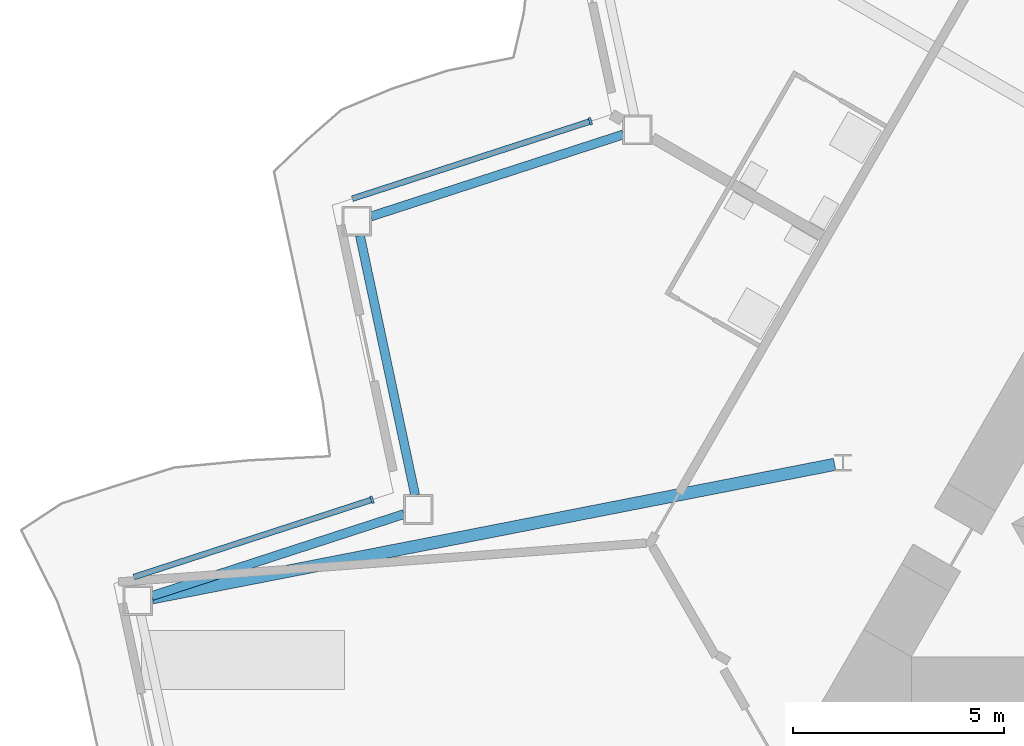
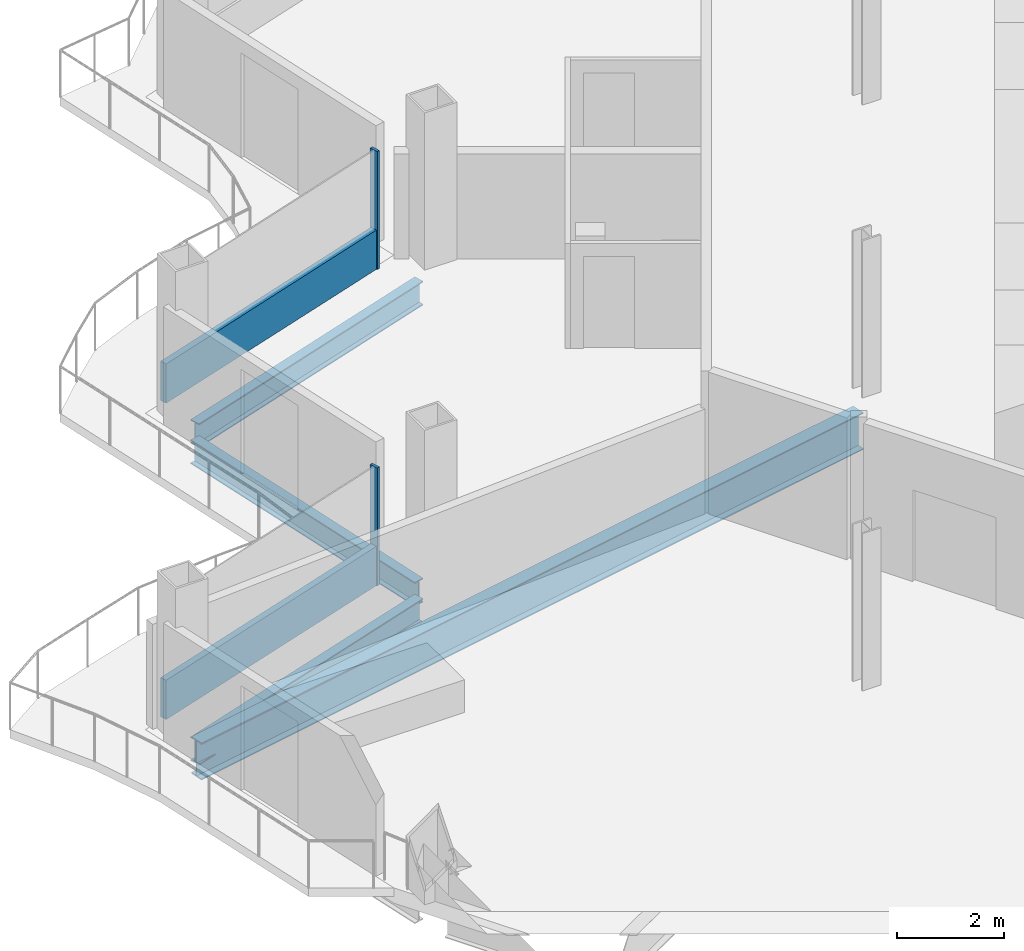
# One storey, part 5 of 24: 4 beams, 4 members, 2 elements without a shape of their own.
"""IFC4 building model written with IfcOpenShell, lengths in metres."""

from ifc_helpers import new_model, si_unit, direction, frame, origin, origin_2d, place, context, subcontext, project, spatial, rectangle, i_section, extrude, material, layer, layer_set, material_profile, profile_set, type_object, element, aggregate, save


model = new_model("IFC4")

# Units and contexts
model_context = context("Model", 3, precision=1e-05, world=origin(), true_north=direction((0.0, 1.0)))
body_context = subcontext(model_context, "Body", "Model", "MODEL_VIEW")
ifc_project = project(units=[si_unit("LENGTHUNIT", "METRE"), si_unit("AREAUNIT", "SQUARE_METRE"), si_unit("VOLUMEUNIT", "CUBIC_METRE"), si_unit("PLANEANGLEUNIT", "RADIAN"), si_unit("MASSUNIT", "GRAM", prefix="KILO")], contexts=[model_context])

# Site, building, storey
site_placement = place(None, origin())
site = spatial("IfcSite", under=ifc_project, at=site_placement, CompositionType="ELEMENT")
building_placement = place(site_placement, origin())
building = spatial("IfcBuilding", under=site, at=building_placement, Name="Cormorant Prow Tower", CompositionType="ELEMENT")
storey_placement = place(building_placement, frame((0.0, 0.0, 234.60009765625)))
storey = spatial("IfcBuildingStorey", under=building, at=storey_placement, Name="L51", CompositionType="ELEMENT", Elevation=234.60009765625)

# Curtain wall, member
ifc_material_1 = material(Name="Aluminium 6063-T6", Category="aluminium")
ifc_layer = layer(ifc_material_1, 0.179931640625)
ifc_layer_set = layer_set([ifc_layer], Name="Aluminium 6063-T6")
curtain_wall_type = type_object("IfcCurtainWallType", Name="Hotel unitised curtain wall 180", PredefinedType="NOTDEFINED", material=ifc_layer_set)
curtain_wall_1_placement = place(storey_placement, origin())
curtain_wall_1 = element("IfcCurtainWall", 1, at=curtain_wall_1_placement, inside=storey, type_object=curtain_wall_type, Name="Hotel curtain wall WNW06", PredefinedType="NOTDEFINED")
ifc_material_2 = material(Name="Aluminium 6063-T6", Category="aluminium")
ifc_material_profile_1 = material_profile(ifc_material_2, rectangle(XDim=0.179931640625, YDim=0.06005859375, at=origin_2d()), Name="Hotel mullion 60x180")
ifc_profile_set_1 = profile_set([ifc_material_profile_1], Name="Aluminium 6063-T6")
member_type_1 = type_object("IfcMemberType", Name="Hotel mullion 60x180", PredefinedType="MULLION", material=ifc_profile_set_1)
member_1_placement = place(storey_placement, frame((-20.3447265625, 5.318359375, 0.0), z_axis=(0.0, 0.0, 1.0), x_axis=(0.309017039126, -0.951056501755, 0.0)))
member_1 = element("IfcMember", 2, at=member_1_placement, type_object=member_type_1, Name="Hotel mullion WNW06", PredefinedType="MULLION", context=body_context, shape_type="SweptSolid", body=[
    extrude(rectangle(XDim=0.179931640625, YDim=0.06005859375, at=origin_2d()), origin(), (0.0, 0.0, 1.0), 2.70068359375),
])

curtain_wall_2_placement = place(storey_placement, origin())
curtain_wall_2 = element("IfcCurtainWall", 3, at=curtain_wall_2_placement, inside=storey, type_object=curtain_wall_type, Name="Hotel curtain wall WNW08", PredefinedType="NOTDEFINED")
member_2_placement = place(storey_placement, frame((-25.5166015625, -3.6396484375, 0.0), z_axis=(0.0, 0.0, 1.0), x_axis=(0.309016951383, -0.951056530264, 0.0)))
member_2 = element("IfcMember", 4, at=member_2_placement, type_object=member_type_1, Name="Hotel mullion WNW08", PredefinedType="MULLION", context=body_context, shape_type="SweptSolid", body=[
    extrude(rectangle(XDim=0.179931640625, YDim=0.06005859375, at=origin_2d()), origin(), (0.0, 0.0, 1.0), 2.70068359375),
])

# Member
ifc_material_3 = material(Name="Terracotta", Category="masonry")
ifc_material_profile_2 = material_profile(ifc_material_3, rectangle(XDim=0.139892578125, YDim=0.89990234375, at=origin_2d()), Name="Hotel terracotta spandrel rail 140x900")
ifc_profile_set_2 = profile_set([ifc_material_profile_2], Name="Terracotta")
member_type_2 = type_object("IfcMemberType", Name="Hotel terracotta spandrel rail 140x900", PredefinedType="USERDEFINED", material=ifc_profile_set_2)
member_3_placement = place(storey_placement, frame((-20.373291015625, 5.30908203125, 0.449951171875), z_axis=(-0.951048974849, -0.309040203597, 0.0), x_axis=(0.309040203597, -0.951048974849, 0.0)))
member_3 = element("IfcMember", 5, at=member_3_placement, type_object=member_type_2, Name="Hotel spandrel rail WNW06", ObjectType="TRANSOM", PredefinedType="USERDEFINED", context=body_context, shape_type="SweptSolid", body=[
    extrude(rectangle(XDim=0.139892578125, YDim=0.89990234375, at=origin_2d()), origin(), (0.0, 0.0, 1.0), 5.897216796875),
])

aggregate(curtain_wall_1, [member_1, member_3])

member_4_placement = place(storey_placement, frame((-25.545166015625, -3.64892578125, 0.449951171875), z_axis=(-0.951048974849, -0.309040203597, 0.0), x_axis=(0.309040203597, -0.951048974849, 0.0)))
member_4 = element("IfcMember", 6, at=member_4_placement, type_object=member_type_2, Name="Hotel spandrel rail WNW08", ObjectType="TRANSOM", PredefinedType="USERDEFINED", context=body_context, shape_type="SweptSolid", body=[
    extrude(rectangle(XDim=0.139892578125, YDim=0.89990234375, at=origin_2d()), origin(), (0.0, 0.0, 1.0), 5.897216796875),
])

aggregate(curtain_wall_2, [member_2, member_4])

# Beams
ifc_material_4 = material(Name="Structural steel ASTM A992 Gr 50", Category="steel")
ifc_material_profile_3 = material_profile(ifc_material_4, i_section(OverallWidth=0.29296875, OverallDepth=0.845703125, WebThickness=0.015380859375, FlangeThickness=0.0244140625, at=origin_2d()), Name="W33x141")
ifc_profile_set_3 = profile_set([ifc_material_profile_3], Name="Structural steel ASTM A992 Gr 50")
beam_type_1 = type_object("IfcBeamType", Name="Radial floor beam W33x141", PredefinedType="BEAM", material=ifc_profile_set_3)
beam_placement = place(storey_placement, frame((-14.5634765625, -2.80322265625, -0.77294921875), z_axis=(-0.981419133752, -0.191876220269, 0.0), x_axis=(0.191876220269, -0.981419133752, 0.0)))
element("IfcBeam", 7, at=beam_placement, inside=storey, type_object=beam_type_1, Name="Radial floor beam FB2 4 L51", PredefinedType="BEAM", context=body_context, shape_type="SweptSolid", body=[
    extrude(i_section(OverallWidth=0.29296875, OverallDepth=0.845703125, WebThickness=0.015380859375, FlangeThickness=0.0244140625, at=origin_2d()), origin(), (0.0, 0.0, 1.0), 16.462158203125),
])
ifc_material_5 = material(Name="Structural steel ASTM A992 Gr 50", Category="steel")
ifc_material_profile_4 = material_profile(ifc_material_5, i_section(OverallWidth=0.2138671875, OverallDepth=0.549072265625, WebThickness=0.0146484375, FlangeThickness=0.023681640625, at=origin_2d()), Name="W21x93")
ifc_profile_set_4 = profile_set([ifc_material_profile_4], Name="Structural steel ASTM A992 Gr 50")
beam_type_2 = type_object("IfcBeamType", Name="Spandrel beam W21x93", PredefinedType="SPANDREL", material=ifc_profile_set_4)
for number, where, z_axis, x_axis, name in (
    (8, (-19.568115234375, 5.00634765625, -0.624755859375), (-0.951061771288, -0.309000820701, 0.0), (0.309000820701, -0.951061771288, 0.0), "Spandrel beam SB2 WNW06-WNW07 L51"),
    (9, (-25.80224609375, 2.61474609375, -0.624755859375), (0.207941499013, -0.978141264331, 0.0), (0.978141264331, 0.207941499013, 0.0), "Spandrel beam SB2 WNW07-WNW08 L51"),
    (10, (-24.75634765625, -3.97998046875, -0.624755859375), (-0.951061771288, -0.309000820701, 0.0), (0.309000820701, -0.951061771288, 0.0), "Spandrel beam SB2 WNW08-WNW09 L51"),
):
    element("IfcBeam", number, at=place(storey_placement, frame(where, z_axis=z_axis, x_axis=x_axis)), inside=storey, type_object=beam_type_2, Name=name, PredefinedType="SPANDREL", context=body_context, shape_type="SweptSolid", body=[
        extrude(i_section(OverallWidth=0.2138671875, OverallDepth=0.549072265625, WebThickness=0.0146484375, FlangeThickness=0.023681640625, at=origin_2d()), origin(), (0.0, 0.0, 1.0), 6.28125),
    ])

save(model, "model.ifc")
